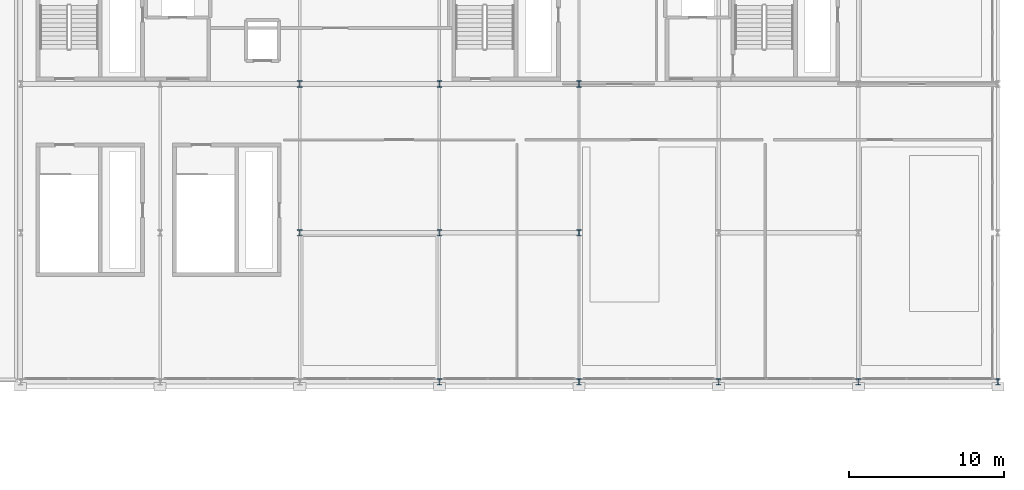
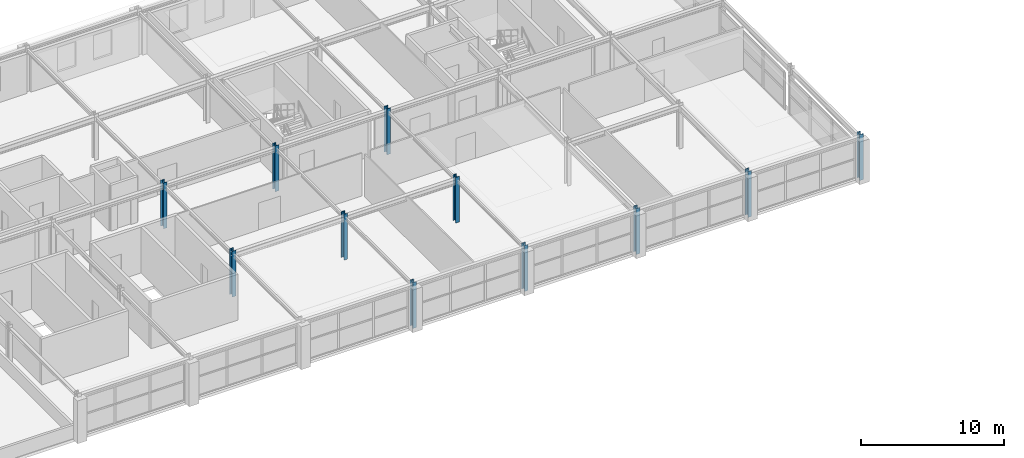
# One storey, part 11 of 52: 11 columns.
"""IFC4 building model written with IfcOpenShell, lengths in metres."""

from ifc_helpers import new_model, si_unit, direction, frame, origin, origin_2d, place, context, subcontext, project, spatial, i_section, extrude, material, material_profile, profile_set, type_object, element, save


model = new_model("IFC4")

# Units and contexts
model_context = context("Model", 3, precision=1e-05, world=origin(), true_north=direction((0.0, 1.0)))
body_context = subcontext(model_context, "Body", "Model", "MODEL_VIEW")
ifc_project = project(units=[si_unit("LENGTHUNIT", "METRE"), si_unit("AREAUNIT", "SQUARE_METRE"), si_unit("VOLUMEUNIT", "CUBIC_METRE"), si_unit("PLANEANGLEUNIT", "RADIAN"), si_unit("MASSUNIT", "GRAM", prefix="KILO")], contexts=[model_context])

# Site, building, storey
site_placement = place(None, origin())
site = spatial("IfcSite", under=ifc_project, at=site_placement, CompositionType="ELEMENT")
building_placement = place(site_placement, origin())
building = spatial("IfcBuilding", under=site, at=building_placement, Name="Myrtia Square Station", CompositionType="ELEMENT")
storey_placement = place(building_placement, frame((0.0, 0.0, 15.0)))
storey = spatial("IfcBuildingStorey", under=building, at=storey_placement, Name="L03", CompositionType="ELEMENT", Elevation=15.0)

# Columns
ifc_material = material(Name="Steel S355", Category="steel")
ifc_material_profile = material_profile(ifc_material, i_section(OverallWidth=0.300048828125, OverallDepth=0.39990234375, WebThickness=0.013427734375, FlangeThickness=0.02392578125, FilletRadius=0.027099609375, at=origin_2d()), Name="HEB 400")
ifc_profile_set = profile_set([ifc_material_profile], Name="Steel S355")
column_type = type_object("IfcColumnType", Name="COL-HEB400", PredefinedType="COLUMN", material=ifc_profile_set)
for number, where, z_axis, x_axis, name in (
    (1, (144.0, 96.0, 0.0), (0.0, 0.0, 1.0), (1.0, 0.0, 0.0), "Column L03-0849"),
    (2, (144.0, 105.60009765625, 0.0), (0.0, 0.0, 1.0), (1.0, 0.0, 0.0), "Column L03-0855"),
    (3, (153.0, 86.39990234375, 0.0), (0.0, 0.0, 1.0), (1.0, 0.0, 0.0), "Column L03-0873"),
    (4, (153.0, 96.0, 0.0), (0.0, 0.0, 1.0), (1.0, 0.0, 0.0), "Column L03-0878"),
    (5, (153.0, 105.60009765625, 0.0), (0.0, 0.0, 1.0), (1.0, 0.0, 0.0), "Column L03-0884"),
    (6, (162.0, 86.39990234375, 0.0), (0.0, 0.0, 1.0), (1.0, 0.0, 0.0), "Column L03-0902"),
    (7, (162.0, 96.0, 0.0), (0.0, 0.0, 1.0), (1.0, 0.0, 0.0), "Column L03-0908"),
    (8, (162.0, 105.60009765625, 0.0), (0.0, 0.0, 1.0), (1.0, 0.0, 0.0), "Column L03-0914"),
    (9, (171.0, 86.39990234375, 0.0), (0.0, 0.0, 1.0), (1.0, 0.0, 0.0), "Column L03-0932"),
    (10, (180.0, 86.39990234375, 0.0), (0.0, 0.0, 1.0), (1.0, 0.0, 0.0), "Column L03-0962"),
    (11, (189.0, 86.39990234375, 0.0), (0.0, 0.0, 1.0), (1.0, 0.0, 0.0), "Column L03-0992"),
):
    element("IfcColumn", number, at=place(storey_placement, frame(where, z_axis=z_axis, x_axis=x_axis)), inside=storey, type_object=column_type, Name=name, PredefinedType="COLUMN", context=body_context, shape_type="SweptSolid", body=[
        extrude(i_section(OverallWidth=0.300048828125, OverallDepth=0.39990234375, WebThickness=0.013427734375, FlangeThickness=0.02392578125, FilletRadius=0.027099609375, at=origin_2d()), origin(), (0.0, 0.0, 1.0), 3.89990234375),
    ])

save(model, "model.ifc")
